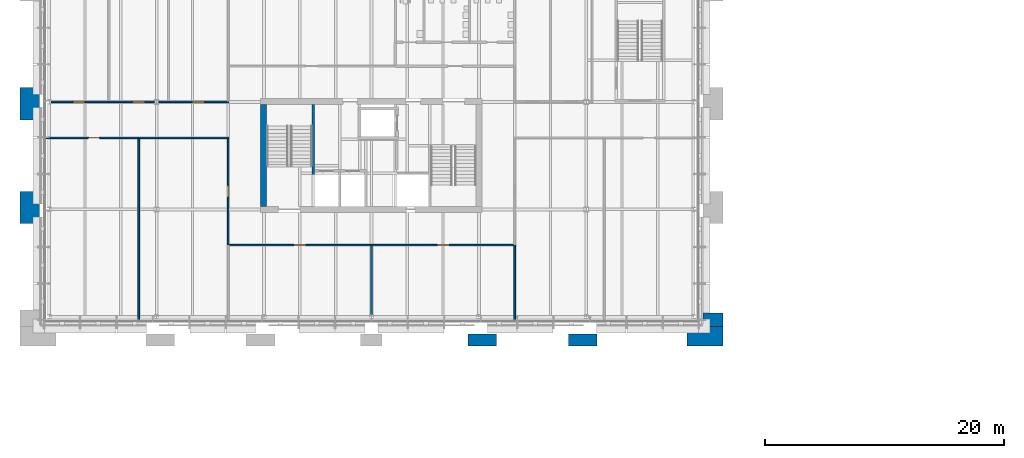
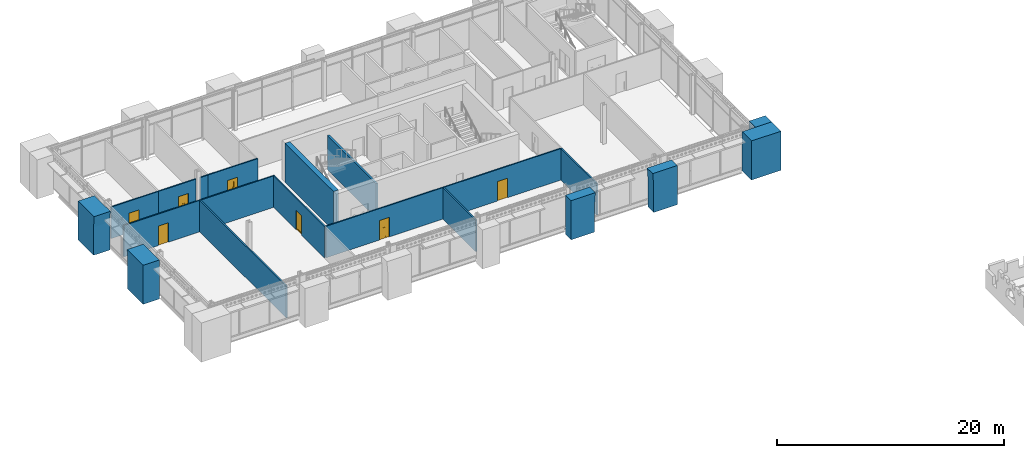
# One storey, part 20 of 37: 20 walls, 7 doors, 7 openings.
"""IFC4 building model written with IfcOpenShell, lengths in metres."""

from ifc_helpers import new_model, si_unit, direction, frame, frame_2d, origin, place, context, subcontext, project, spatial, polyline, rectangle, outline, extrude, material, layer, layer_set, type_object, element, fill, save


model = new_model("IFC4")

# Units and contexts
model_context = context("Model", 3, precision=1e-05, world=origin(), true_north=direction((0.0, 1.0)))
body_context = subcontext(model_context, "Body", "Model", "MODEL_VIEW")
ifc_project = project(units=[si_unit("LENGTHUNIT", "METRE"), si_unit("AREAUNIT", "SQUARE_METRE"), si_unit("VOLUMEUNIT", "CUBIC_METRE"), si_unit("PLANEANGLEUNIT", "RADIAN"), si_unit("MASSUNIT", "GRAM", prefix="KILO")], contexts=[model_context])

# Site, building, storey
site_placement = place(None, origin())
site = spatial("IfcSite", under=ifc_project, at=site_placement, CompositionType="ELEMENT")
building_placement = place(site_placement, origin())
building = spatial("IfcBuilding", under=site, at=building_placement, Name="Baradari Gate Terminus", CompositionType="ELEMENT")
storey_placement = place(building_placement, frame((0.0, 0.0, 24.300048828125)))
storey = spatial("IfcBuildingStorey", under=building, at=storey_placement, Name="L05", CompositionType="ELEMENT", Elevation=24.300048828125)

# Wall, opening, door
ifc_material_1 = material(Name="Gypsum board")
ifc_layer_1 = layer(ifc_material_1, 0.125)
ifc_layer_set_1 = layer_set([ifc_layer_1], Name="Gypsum board")
wall_type_1 = type_object("IfcWallType", Name="Corridor partition PT-5 125 EI 30", PredefinedType="PARTITIONING", material=ifc_layer_set_1)
wall_1_placement = place(storey_placement, frame((36.0, 123.0, 0.0), z_axis=(0.0, 0.0, 1.0), x_axis=(-1.0, 0.0, 0.0)))
wall_1 = element("IfcWall", 1, at=wall_1_placement, inside=storey, type_object=wall_type_1, Name="PT-5 partition Corridor / Accounts Office", PredefinedType="PARTITIONING", context=body_context, shape_type="SweptSolid", body=[
    extrude(rectangle(XDim=11.925048828125, YDim=0.125, at=frame_2d((5.96240234375, 0.0))), origin(), (0.0, 0.0, 1.0), 3.3818359375),
])
opening_1_placement = place(wall_1_placement, frame((5.5, 0.0, 0.0)))
opening_1 = element("IfcOpeningElement", 2, at=opening_1_placement, cuts=wall_1, Name="Opening D05-023", PredefinedType="OPENING", context=body_context, shape_type="SweptSolid", body=[
    extrude(rectangle(XDim=1.0, YDim=2.10009765625, at=frame_2d((0.5, 1.050048828125))), frame((0.0, 0.072509765625, 0.0), z_axis=(0.0, -1.0, 0.0), x_axis=(1.0, 0.0, 0.0)), (0.0, 0.0, 1.0), 0.14501953125),
])
ifc_material_2 = material(Name="Steel S275", Category="steel")
door_type = type_object("IfcDoorType", Name="Fire door FI-1000-FD30S 1000x2100 FD30S", OperationType="SINGLE_SWING_LEFT", PredefinedType="DOOR", material=ifc_material_2)
door_1_placement = place(opening_1_placement, origin())
door_1 = element("IfcDoor", 3, at=door_1_placement, inside=storey, type_object=door_type, Name="Door Accounts Office", OperationType="SINGLE_SWING_LEFT", OverallHeight=2.1, OverallWidth=1.0, PredefinedType="DOOR", context=body_context, shape_type="SweptSolid", body=[
    extrude(outline(polyline([(0.0, 0.0), (0.070068359375, 0.0), (0.070068359375, 2.030029296875), (0.929931640625, 2.030029296875), (0.929931640625, 0.0), (1.0, 0.0), (1.0, 2.10009765625), (0.0, 2.10009765625), (0.0, 0.0)])), frame((0.0, 0.02490234375, 0.0), z_axis=(0.0, -1.0, 0.0), x_axis=(1.0, 0.0, 0.0)), (0.0, 0.0, 1.0), 0.050048828125),
    extrude(outline(polyline([(0.073974609375, 0.010009765625), (0.926025390625, 0.010009765625), (0.926025390625, 2.026123046875), (0.073974609375, 2.026123046875), (0.073974609375, 0.010009765625)]), holes=[polyline([(0.194091796875, 0.159912109375), (0.805908203125, 0.159912109375), (0.805908203125, 1.010009765625), (0.194091796875, 1.010009765625), (0.194091796875, 0.159912109375)]), polyline([(0.35009765625, 1.159912109375), (0.64990234375, 1.159912109375), (0.64990234375, 1.760009765625), (0.35009765625, 1.760009765625), (0.35009765625, 1.159912109375)])]), frame((0.0, 0.017333984375, 0.0), z_axis=(0.0, -1.0, 0.0), x_axis=(1.0, 0.0, 0.0)), (0.0, 0.0, 1.0), 0.034912109375),
    extrude(rectangle(XDim=0.61181640625, YDim=0.85009765625, at=frame_2d((0.5, 0.5849609375))), frame((0.0, 0.008544921875, 0.0), z_axis=(0.0, -1.0, 0.0), x_axis=(1.0, 0.0, 0.0)), (0.0, 0.0, 1.0), 0.017333984375),
    extrude(rectangle(XDim=0.2998046875, YDim=0.60009765625, at=frame_2d((0.5, 1.4599609375))), frame((0.0, 0.005859375, 0.0), z_axis=(0.0, -1.0, 0.0), x_axis=(1.0, 0.0, 0.0)), (0.0, 0.0, 1.0), 0.011962890625),
])
fill(opening_1, door_1)

wall_2_placement = place(storey_placement, frame((16.5, 132.0, 0.0), z_axis=(0.0, 0.0, 1.0), x_axis=(-1.0, 0.0, 0.0)))
wall_2 = element("IfcWall", 4, at=wall_2_placement, inside=storey, type_object=wall_type_1, Name="PT-5 partition Corridor / Planning Office", PredefinedType="PARTITIONING", context=body_context, shape_type="SweptSolid", body=[
    extrude(rectangle(XDim=7.77001953125, YDim=0.125, at=frame_2d((3.885009765625, 0.0))), origin(), (0.0, 0.0, 1.0), 3.3818359375),
])
opening_2_placement = place(wall_2_placement, frame((3.25, 0.0, 0.0)))
opening_2 = element("IfcOpeningElement", 5, at=opening_2_placement, cuts=wall_2, Name="Opening D05-018", PredefinedType="OPENING", context=body_context, shape_type="SweptSolid", body=[
    extrude(rectangle(XDim=1.0, YDim=2.10009765625, at=frame_2d((0.5, 1.050048828125))), frame((0.0, 0.072509765625, 0.0), z_axis=(0.0, -1.0, 0.0), x_axis=(1.0, 0.0, 0.0)), (0.0, 0.0, 1.0), 0.14501953125),
])
door_2_placement = place(opening_2_placement, origin())
door_2 = element("IfcDoor", 6, at=door_2_placement, inside=storey, type_object=door_type, Name="Door Planning Office", OperationType="SINGLE_SWING_LEFT", OverallHeight=2.1, OverallWidth=1.0, PredefinedType="DOOR", context=body_context, shape_type="SweptSolid", body=[
    extrude(outline(polyline([(0.0, 0.0), (0.070068359375, 0.0), (0.070068359375, 2.030029296875), (0.929931640625, 2.030029296875), (0.929931640625, 0.0), (1.0, 0.0), (1.0, 2.10009765625), (0.0, 2.10009765625), (0.0, 0.0)])), frame((0.0, 0.02490234375, 0.0), z_axis=(0.0, -1.0, 0.0), x_axis=(1.0, 0.0, 0.0)), (0.0, 0.0, 1.0), 0.050048828125),
    extrude(outline(polyline([(0.073974609375, 0.010009765625), (0.926025390625, 0.010009765625), (0.926025390625, 2.026123046875), (0.073974609375, 2.026123046875), (0.073974609375, 0.010009765625)]), holes=[polyline([(0.194091796875, 0.159912109375), (0.805908203125, 0.159912109375), (0.805908203125, 1.010009765625), (0.194091796875, 1.010009765625), (0.194091796875, 0.159912109375)]), polyline([(0.35009765625, 1.159912109375), (0.64990234375, 1.159912109375), (0.64990234375, 1.760009765625), (0.35009765625, 1.760009765625), (0.35009765625, 1.159912109375)])]), frame((0.0, 0.017333984375, 0.0), z_axis=(0.0, -1.0, 0.0), x_axis=(1.0, 0.0, 0.0)), (0.0, 0.0, 1.0), 0.034912109375),
    extrude(rectangle(XDim=0.61181640625, YDim=0.85009765625, at=frame_2d((0.5, 0.5849609375))), frame((0.0, 0.008544921875, 0.0), z_axis=(0.0, -1.0, 0.0), x_axis=(1.0, 0.0, 0.0)), (0.0, 0.0, 1.0), 0.017333984375),
    extrude(rectangle(XDim=0.2998046875, YDim=0.60009765625, at=frame_2d((0.5, 1.4599609375))), frame((0.0, 0.005859375, 0.0), z_axis=(0.0, -1.0, 0.0), x_axis=(1.0, 0.0, 0.0)), (0.0, 0.0, 1.0), 0.011962890625),
])
fill(opening_2, door_2)

wall_3_placement = place(storey_placement, frame((24.0, 123.0, 0.0), z_axis=(0.0, 0.0, 1.0), x_axis=(0.0, 1.0, 0.0)))
wall_3 = element("IfcWall", 7, at=wall_3_placement, inside=storey, type_object=wall_type_1, Name="PT-5 partition Corridor / Records Room", PredefinedType="PARTITIONING", context=body_context, shape_type="SweptSolid", body=[
    extrude(rectangle(XDim=8.9375, YDim=0.125, at=frame_2d((4.46875, 0.0))), origin(), (0.0, 0.0, 1.0), 3.3818359375),
])
opening_3_placement = place(wall_3_placement, frame((4.0, 0.0, 0.0)))
opening_3 = element("IfcOpeningElement", 8, at=opening_3_placement, cuts=wall_3, Name="Opening D05-019", PredefinedType="OPENING", context=body_context, shape_type="SweptSolid", body=[
    extrude(rectangle(XDim=1.0, YDim=2.10009765625, at=frame_2d((0.5, 1.050048828125))), frame((0.0, 0.072509765625, 0.0), z_axis=(0.0, -1.0, 0.0), x_axis=(1.0, 0.0, 0.0)), (0.0, 0.0, 1.0), 0.14501953125),
])
door_3_placement = place(opening_3_placement, origin())
door_3 = element("IfcDoor", 9, at=door_3_placement, inside=storey, type_object=door_type, Name="Door Records Room", OperationType="SINGLE_SWING_RIGHT", OverallHeight=2.1, OverallWidth=1.0, PredefinedType="DOOR", context=body_context, shape_type="SweptSolid", body=[
    extrude(outline(polyline([(0.0, 0.0), (0.070068359375, 0.0), (0.070068359375, 2.030029296875), (0.929931640625, 2.030029296875), (0.929931640625, 0.0), (1.0, 0.0), (1.0, 2.10009765625), (0.0, 2.10009765625), (0.0, 0.0)])), frame((0.0, 0.02490234375, 0.0), z_axis=(0.0, -1.0, 0.0), x_axis=(1.0, 0.0, 0.0)), (0.0, 0.0, 1.0), 0.050048828125),
    extrude(outline(polyline([(0.073974609375, 0.010009765625), (0.926025390625, 0.010009765625), (0.926025390625, 2.026123046875), (0.073974609375, 2.026123046875), (0.073974609375, 0.010009765625)]), holes=[polyline([(0.194091796875, 0.159912109375), (0.805908203125, 0.159912109375), (0.805908203125, 1.010009765625), (0.194091796875, 1.010009765625), (0.194091796875, 0.159912109375)]), polyline([(0.35009765625, 1.159912109375), (0.64990234375, 1.159912109375), (0.64990234375, 1.760009765625), (0.35009765625, 1.760009765625), (0.35009765625, 1.159912109375)])]), frame((0.0, 0.017333984375, 0.0), z_axis=(0.0, -1.0, 0.0), x_axis=(1.0, 0.0, 0.0)), (0.0, 0.0, 1.0), 0.034912109375),
    extrude(rectangle(XDim=0.61181640625, YDim=0.85009765625, at=frame_2d((0.5, 0.5849609375))), frame((0.0, 0.008544921875, 0.0), z_axis=(0.0, -1.0, 0.0), x_axis=(1.0, 0.0, 0.0)), (0.0, 0.0, 1.0), 0.017333984375),
    extrude(rectangle(XDim=0.2998046875, YDim=0.60009765625, at=frame_2d((0.5, 1.4599609375))), frame((0.0, 0.005859375, 0.0), z_axis=(0.0, -1.0, 0.0), x_axis=(1.0, 0.0, 0.0)), (0.0, 0.0, 1.0), 0.011962890625),
])
fill(opening_3, door_3)

# Wall
wall_4_placement = place(storey_placement, frame((24.0625, 132.0, 0.0), z_axis=(0.0, 0.0, 1.0), x_axis=(-1.0, 0.0, 0.0)))
element("IfcWall", 10, at=wall_4_placement, inside=storey, type_object=wall_type_1, Name="PT-5 partition Corridor / Records Room", PredefinedType="PARTITIONING", context=body_context, shape_type="SweptSolid", body=[
    extrude(rectangle(XDim=7.5625, YDim=0.125, at=frame_2d((3.78125, 0.0))), origin(), (0.0, 0.0, 1.0), 3.3818359375),
])

# Wall, opening, door
wall_5_placement = place(storey_placement, frame((9.1572265625, 135.0, 0.0), z_axis=(0.0, 0.0, 1.0), x_axis=(1.0, 0.0, 0.0)))
wall_5 = element("IfcWall", 11, at=wall_5_placement, inside=storey, type_object=wall_type_1, Name="PT-5 partition Corridor / Station Master's Office", PredefinedType="PARTITIONING", context=body_context, shape_type="SweptSolid", body=[
    extrude(rectangle(XDim=4.8427734375, YDim=0.125, at=frame_2d((2.42138671875, 0.0))), origin(), (0.0, 0.0, 1.0), 3.3818359375),
])
opening_4_placement = place(wall_5_placement, frame((1.8427734375, 0.0, 0.0)))
opening_4 = element("IfcOpeningElement", 12, at=opening_4_placement, cuts=wall_5, Name="Opening D05-015", PredefinedType="OPENING", context=body_context, shape_type="SweptSolid", body=[
    extrude(rectangle(XDim=1.0, YDim=2.10009765625, at=frame_2d((0.5, 1.050048828125))), frame((0.0, 0.072509765625, 0.0), z_axis=(0.0, -1.0, 0.0), x_axis=(1.0, 0.0, 0.0)), (0.0, 0.0, 1.0), 0.14501953125),
])
door_4_placement = place(opening_4_placement, origin())
door_4 = element("IfcDoor", 13, at=door_4_placement, inside=storey, type_object=door_type, Name="Door Station Master's Office", OperationType="SINGLE_SWING_RIGHT", OverallHeight=2.1, OverallWidth=1.0, PredefinedType="DOOR", context=body_context, shape_type="SweptSolid", body=[
    extrude(outline(polyline([(0.0, 0.0), (0.070068359375, 0.0), (0.070068359375, 2.030029296875), (0.929931640625, 2.030029296875), (0.929931640625, 0.0), (1.0, 0.0), (1.0, 2.10009765625), (0.0, 2.10009765625), (0.0, 0.0)])), frame((0.0, 0.02490234375, 0.0), z_axis=(0.0, -1.0, 0.0), x_axis=(1.0, 0.0, 0.0)), (0.0, 0.0, 1.0), 0.050048828125),
    extrude(outline(polyline([(0.073974609375, 0.010009765625), (0.926025390625, 0.010009765625), (0.926025390625, 2.026123046875), (0.073974609375, 2.026123046875), (0.073974609375, 0.010009765625)]), holes=[polyline([(0.194091796875, 0.159912109375), (0.805908203125, 0.159912109375), (0.805908203125, 1.010009765625), (0.194091796875, 1.010009765625), (0.194091796875, 0.159912109375)]), polyline([(0.35009765625, 1.159912109375), (0.64990234375, 1.159912109375), (0.64990234375, 1.760009765625), (0.35009765625, 1.760009765625), (0.35009765625, 1.159912109375)])]), frame((0.0, 0.017333984375, 0.0), z_axis=(0.0, -1.0, 0.0), x_axis=(1.0, 0.0, 0.0)), (0.0, 0.0, 1.0), 0.034912109375),
    extrude(rectangle(XDim=0.61181640625, YDim=0.85009765625, at=frame_2d((0.5, 0.5849609375))), frame((0.0, 0.008544921875, 0.0), z_axis=(0.0, -1.0, 0.0), x_axis=(1.0, 0.0, 0.0)), (0.0, 0.0, 1.0), 0.017333984375),
    extrude(rectangle(XDim=0.2998046875, YDim=0.60009765625, at=frame_2d((0.5, 1.4599609375))), frame((0.0, 0.005859375, 0.0), z_axis=(0.0, -1.0, 0.0), x_axis=(1.0, 0.0, 0.0)), (0.0, 0.0, 1.0), 0.011962890625),
])
fill(opening_4, door_4)

wall_6_placement = place(storey_placement, frame((14.0, 135.0, 0.0), z_axis=(0.0, 0.0, 1.0), x_axis=(1.0, 0.0, 0.0)))
wall_6 = element("IfcWall", 14, at=wall_6_placement, inside=storey, type_object=wall_type_1, Name="PT-5 partition Corridor / Revenue Office", PredefinedType="PARTITIONING", context=body_context, shape_type="SweptSolid", body=[
    extrude(rectangle(XDim=3.802490234375, YDim=0.125, at=frame_2d((1.9013671875, 0.0))), origin(), (0.0, 0.0, 1.0), 3.3818359375),
])
opening_5_placement = place(wall_6_placement, frame((2.0, 0.0, 0.0)))
opening_5 = element("IfcOpeningElement", 15, at=opening_5_placement, cuts=wall_6, Name="Opening D05-016", PredefinedType="OPENING", context=body_context, shape_type="SweptSolid", body=[
    extrude(rectangle(XDim=1.0, YDim=2.10009765625, at=frame_2d((0.5, 1.050048828125))), frame((0.0, 0.072509765625, 0.0), z_axis=(0.0, -1.0, 0.0), x_axis=(1.0, 0.0, 0.0)), (0.0, 0.0, 1.0), 0.14501953125),
])
door_5_placement = place(opening_5_placement, origin())
door_5 = element("IfcDoor", 16, at=door_5_placement, inside=storey, type_object=door_type, Name="Door Revenue Office", OperationType="SINGLE_SWING_LEFT", OverallHeight=2.1, OverallWidth=1.0, PredefinedType="DOOR", context=body_context, shape_type="SweptSolid", body=[
    extrude(outline(polyline([(0.0, 0.0), (0.070068359375, 0.0), (0.070068359375, 2.030029296875), (0.929931640625, 2.030029296875), (0.929931640625, 0.0), (1.0, 0.0), (1.0, 2.10009765625), (0.0, 2.10009765625), (0.0, 0.0)])), frame((0.0, 0.02490234375, 0.0), z_axis=(0.0, -1.0, 0.0), x_axis=(1.0, 0.0, 0.0)), (0.0, 0.0, 1.0), 0.050048828125),
    extrude(outline(polyline([(0.073974609375, 0.010009765625), (0.926025390625, 0.010009765625), (0.926025390625, 2.026123046875), (0.073974609375, 2.026123046875), (0.073974609375, 0.010009765625)]), holes=[polyline([(0.194091796875, 0.159912109375), (0.805908203125, 0.159912109375), (0.805908203125, 1.010009765625), (0.194091796875, 1.010009765625), (0.194091796875, 0.159912109375)]), polyline([(0.35009765625, 1.159912109375), (0.64990234375, 1.159912109375), (0.64990234375, 1.760009765625), (0.35009765625, 1.760009765625), (0.35009765625, 1.159912109375)])]), frame((0.0, 0.017333984375, 0.0), z_axis=(0.0, -1.0, 0.0), x_axis=(1.0, 0.0, 0.0)), (0.0, 0.0, 1.0), 0.034912109375),
    extrude(rectangle(XDim=0.61181640625, YDim=0.85009765625, at=frame_2d((0.5, 0.5849609375))), frame((0.0, 0.008544921875, 0.0), z_axis=(0.0, -1.0, 0.0), x_axis=(1.0, 0.0, 0.0)), (0.0, 0.0, 1.0), 0.017333984375),
    extrude(rectangle(XDim=0.2998046875, YDim=0.60009765625, at=frame_2d((0.5, 1.4599609375))), frame((0.0, 0.005859375, 0.0), z_axis=(0.0, -1.0, 0.0), x_axis=(1.0, 0.0, 0.0)), (0.0, 0.0, 1.0), 0.011962890625),
])
fill(opening_5, door_5)

# Wall
wall_7_placement = place(storey_placement, frame((18.197509765625, 135.0, 0.0), z_axis=(0.0, 0.0, 1.0), x_axis=(1.0, 0.0, 0.0)))
element("IfcWall", 17, at=wall_7_placement, inside=storey, type_object=wall_type_1, Name="PT-5 partition Corridor / Revenue Office", PredefinedType="PARTITIONING", context=body_context, shape_type="SweptSolid", body=[
    extrude(rectangle(XDim=0.802490234375, YDim=0.125, at=frame_2d((0.4013671875, 0.0))), origin(), (0.0, 0.0, 1.0), 3.3818359375),
])

# Wall, opening, door
wall_8_placement = place(storey_placement, frame((19.0, 135.0, 0.0), z_axis=(0.0, 0.0, 1.0), x_axis=(1.0, 0.0, 0.0)))
wall_8 = element("IfcWall", 18, at=wall_8_placement, inside=storey, type_object=wall_type_1, Name="PT-5 partition Corridor / Freight and Parcels Office", PredefinedType="PARTITIONING", context=body_context, shape_type="SweptSolid", body=[
    extrude(rectangle(XDim=5.0625, YDim=0.125, at=frame_2d((2.53125, 0.0))), origin(), (0.0, 0.0, 1.0), 3.3818359375),
])
opening_6_placement = place(wall_8_placement, frame((2.0, 0.0, 0.0)))
opening_6 = element("IfcOpeningElement", 19, at=opening_6_placement, cuts=wall_8, Name="Opening D05-017", PredefinedType="OPENING", context=body_context, shape_type="SweptSolid", body=[
    extrude(rectangle(XDim=1.0, YDim=2.10009765625, at=frame_2d((0.5, 1.050048828125))), frame((0.0, 0.072509765625, 0.0), z_axis=(0.0, -1.0, 0.0), x_axis=(1.0, 0.0, 0.0)), (0.0, 0.0, 1.0), 0.14501953125),
])
door_6_placement = place(opening_6_placement, origin())
door_6 = element("IfcDoor", 20, at=door_6_placement, inside=storey, type_object=door_type, Name="Door Freight and Parcels Office", OperationType="SINGLE_SWING_LEFT", OverallHeight=2.1, OverallWidth=1.0, PredefinedType="DOOR", context=body_context, shape_type="SweptSolid", body=[
    extrude(outline(polyline([(0.0, 0.0), (0.070068359375, 0.0), (0.070068359375, 2.030029296875), (0.929931640625, 2.030029296875), (0.929931640625, 0.0), (1.0, 0.0), (1.0, 2.10009765625), (0.0, 2.10009765625), (0.0, 0.0)])), frame((0.0, 0.02490234375, 0.0), z_axis=(0.0, -1.0, 0.0), x_axis=(1.0, 0.0, 0.0)), (0.0, 0.0, 1.0), 0.050048828125),
    extrude(outline(polyline([(0.073974609375, 0.010009765625), (0.926025390625, 0.010009765625), (0.926025390625, 2.026123046875), (0.073974609375, 2.026123046875), (0.073974609375, 0.010009765625)]), holes=[polyline([(0.194091796875, 0.159912109375), (0.805908203125, 0.159912109375), (0.805908203125, 1.010009765625), (0.194091796875, 1.010009765625), (0.194091796875, 0.159912109375)]), polyline([(0.35009765625, 1.159912109375), (0.64990234375, 1.159912109375), (0.64990234375, 1.760009765625), (0.35009765625, 1.760009765625), (0.35009765625, 1.159912109375)])]), frame((0.0, 0.017333984375, 0.0), z_axis=(0.0, -1.0, 0.0), x_axis=(1.0, 0.0, 0.0)), (0.0, 0.0, 1.0), 0.034912109375),
    extrude(rectangle(XDim=0.61181640625, YDim=0.85009765625, at=frame_2d((0.5, 0.5849609375))), frame((0.0, 0.008544921875, 0.0), z_axis=(0.0, -1.0, 0.0), x_axis=(1.0, 0.0, 0.0)), (0.0, 0.0, 1.0), 0.017333984375),
    extrude(rectangle(XDim=0.2998046875, YDim=0.60009765625, at=frame_2d((0.5, 1.4599609375))), frame((0.0, 0.005859375, 0.0), z_axis=(0.0, -1.0, 0.0), x_axis=(1.0, 0.0, 0.0)), (0.0, 0.0, 1.0), 0.011962890625),
])
fill(opening_6, door_6)

wall_9_placement = place(storey_placement, frame((47.925048828125, 123.0, 0.0), z_axis=(0.0, 0.0, 1.0), x_axis=(-1.0, 0.0, 0.0)))
wall_9 = element("IfcWall", 21, at=wall_9_placement, inside=storey, type_object=wall_type_1, Name="PT-5 partition Corridor / Personnel Office", PredefinedType="PARTITIONING", context=body_context, shape_type="SweptSolid", body=[
    extrude(rectangle(XDim=11.925048828125, YDim=0.125, at=frame_2d((5.96240234375, 0.0))), origin(), (0.0, 0.0, 1.0), 3.3818359375),
])
opening_7_placement = place(wall_9_placement, frame((5.425048828125, 0.0, 0.0)))
opening_7 = element("IfcOpeningElement", 22, at=opening_7_placement, cuts=wall_9, Name="Opening D05-024", PredefinedType="OPENING", context=body_context, shape_type="SweptSolid", body=[
    extrude(rectangle(XDim=1.0, YDim=2.10009765625, at=frame_2d((0.5, 1.050048828125))), frame((0.0, 0.072509765625, 0.0), z_axis=(0.0, -1.0, 0.0), x_axis=(1.0, 0.0, 0.0)), (0.0, 0.0, 1.0), 0.14501953125),
])
door_7_placement = place(opening_7_placement, origin())
door_7 = element("IfcDoor", 23, at=door_7_placement, inside=storey, type_object=door_type, Name="Door Personnel Office", OperationType="SINGLE_SWING_LEFT", OverallHeight=2.1, OverallWidth=1.0, PredefinedType="DOOR", context=body_context, shape_type="SweptSolid", body=[
    extrude(outline(polyline([(0.0, 0.0), (0.070068359375, 0.0), (0.070068359375, 2.030029296875), (0.929931640625, 2.030029296875), (0.929931640625, 0.0), (1.0, 0.0), (1.0, 2.10009765625), (0.0, 2.10009765625), (0.0, 0.0)])), frame((0.0, 0.02490234375, 0.0), z_axis=(0.0, -1.0, 0.0), x_axis=(1.0, 0.0, 0.0)), (0.0, 0.0, 1.0), 0.050048828125),
    extrude(outline(polyline([(0.073974609375, 0.010009765625), (0.926025390625, 0.010009765625), (0.926025390625, 2.026123046875), (0.073974609375, 2.026123046875), (0.073974609375, 0.010009765625)]), holes=[polyline([(0.194091796875, 0.159912109375), (0.805908203125, 0.159912109375), (0.805908203125, 1.010009765625), (0.194091796875, 1.010009765625), (0.194091796875, 0.159912109375)]), polyline([(0.35009765625, 1.159912109375), (0.64990234375, 1.159912109375), (0.64990234375, 1.760009765625), (0.35009765625, 1.760009765625), (0.35009765625, 1.159912109375)])]), frame((0.0, 0.017333984375, 0.0), z_axis=(0.0, -1.0, 0.0), x_axis=(1.0, 0.0, 0.0)), (0.0, 0.0, 1.0), 0.034912109375),
    extrude(rectangle(XDim=0.61181640625, YDim=0.85009765625, at=frame_2d((0.5, 0.5849609375))), frame((0.0, 0.008544921875, 0.0), z_axis=(0.0, -1.0, 0.0), x_axis=(1.0, 0.0, 0.0)), (0.0, 0.0, 1.0), 0.017333984375),
    extrude(rectangle(XDim=0.2998046875, YDim=0.60009765625, at=frame_2d((0.5, 1.4599609375))), frame((0.0, 0.005859375, 0.0), z_axis=(0.0, -1.0, 0.0), x_axis=(1.0, 0.0, 0.0)), (0.0, 0.0, 1.0), 0.011962890625),
])
fill(opening_7, door_7)

# Walls
ifc_material_3 = material(Name="Concrete C40/50", Category="concrete")
ifc_layer_2 = layer(ifc_material_3, 0.5)
ifc_layer_set_2 = layer_set([ifc_layer_2], Name="Concrete C40/50")
wall_type_2 = type_object("IfcWallType", Name="Operations block core wall CWL02 500", PredefinedType="SOLIDWALL", material=ifc_layer_set_2)
wall_10_placement = place(storey_placement, frame((26.97509765625, 126.22509765625, 0.0), z_axis=(0.0, 0.0, 1.0), x_axis=(0.0, 1.0, 0.0)))
element("IfcWall", 24, at=wall_10_placement, inside=storey, type_object=wall_type_2, Name="Operations block core wall CT W L05", PredefinedType="SOLIDWALL", context=body_context, shape_type="SweptSolid", body=[
    extrude(rectangle(XDim=8.5498046875, YDim=0.5, at=frame_2d((4.27490234375, 0.0))), origin(), (0.0, 0.0, 1.0), 4.199951171875),
])
ifc_material_4 = material(Name="Blockwork wall, plastered", Category="masonry")
ifc_layer_3 = layer(ifc_material_4, 0.14990234375)
ifc_layer_set_3 = layer_set([ifc_layer_3], Name="Blockwork wall, plastered")
wall_type_3 = type_object("IfcWallType", Name="Partition PT-2 150 EI 60", PredefinedType="PARTITIONING", material=ifc_layer_set_3)
wall_11_placement = place(storey_placement, frame((16.5, 131.9375, 0.0), z_axis=(0.0, 0.0, 1.0), x_axis=(0.0, -1.0, 0.0)))
element("IfcWall", 25, at=wall_11_placement, inside=storey, type_object=wall_type_3, Name="PT-2 partition Planning Office / Records Room", PredefinedType="PARTITIONING", context=body_context, shape_type="SweptSolid", body=[
    extrude(rectangle(XDim=15.232421875, YDim=0.14990234375, at=frame_2d((7.6162109375, 0.0))), origin(), (0.0, 0.0, 1.0), 3.3818359375),
])
wall_12_placement = place(storey_placement, frame((48.0, 116.705078125, 0.0), z_axis=(0.0, 0.0, 1.0), x_axis=(0.0, 1.0, 0.0)))
element("IfcWall", 26, at=wall_12_placement, inside=storey, type_object=wall_type_3, Name="PT-2 partition Meeting Room 1 / Personnel Office", PredefinedType="PARTITIONING", context=body_context, shape_type="SweptSolid", body=[
    extrude(rectangle(XDim=6.294921875, YDim=0.14990234375, at=frame_2d((3.1474609375, 0.0))), origin(), (0.0, 0.0, 1.0), 3.3818359375),
])
wall_13_placement = place(storey_placement, frame((36.0, 122.9375, 0.0), z_axis=(0.0, 0.0, 1.0), x_axis=(0.0, -1.0, 0.0)))
element("IfcWall", 27, at=wall_13_placement, inside=storey, type_object=wall_type_3, Name="PT-2 partition Accounts Office / Personnel Office", PredefinedType="PARTITIONING", context=body_context, shape_type="SweptSolid", body=[
    extrude(rectangle(XDim=5.767578125, YDim=0.14990234375, at=frame_2d((2.8837890625, 0.0))), origin(), (0.0, 0.0, 1.0), 3.3818359375),
])
ifc_material_5 = material(Name="Concrete C40/50 precast", Category="concrete")
ifc_layer_4 = layer(ifc_material_5, 1.55)
ifc_material_6 = material(Name="Sandstone cladding", Category="masonry")
ifc_layer_5 = layer(ifc_material_6, 0.1)
ifc_layer_set_4 = layer_set([ifc_layer_4, ifc_layer_5], Name="Concrete C40/50 precast")
wall_type_4 = type_object("IfcWallType", Name="Sandstone-faced precast frame pier WQ-4 1650", PredefinedType="SOLIDWALL", material=ifc_layer_set_4)
wall_14_placement = place(storey_placement, frame((7.3798828125, 124.800048828125, 0.0), z_axis=(0.0, 0.0, 1.0), x_axis=(0.0, 1.0, 0.0)))
element("IfcWall", 28, at=wall_14_placement, inside=storey, type_object=wall_type_4, Name="Frame portal wall W face bay 1 1", PredefinedType="SOLIDWALL", context=body_context, shape_type="SweptSolid", body=[
    extrude(outline(polyline([(2.699951171875, 0.0), (2.699951171875, 3.0), (2.795166015625, 4.199951171875), (0.0, 4.199951171875), (0.0, 0.0), (2.699951171875, 0.0)])), frame((0.0, 0.824951171875, 0.0), z_axis=(0.0, -1.0, 0.0), x_axis=(1.0, 0.0, 0.0)), (0.0, 0.0, 1.0), 1.64990234375),
])
wall_15_placement = place(storey_placement, frame((7.3798828125, 133.40478515625, 0.0), z_axis=(0.0, 0.0, 1.0), x_axis=(0.0, 1.0, 0.0)))
element("IfcWall", 29, at=wall_15_placement, inside=storey, type_object=wall_type_4, Name="Frame portal wall W face bay 1 2", PredefinedType="SOLIDWALL", context=body_context, shape_type="SweptSolid", body=[
    extrude(outline(polyline([(0.0, 4.199951171875), (0.09521484375, 3.0), (0.09521484375, 0.0), (2.795166015625, 0.0), (2.795166015625, 4.199951171875), (0.0, 4.199951171875)])), frame((0.0, 0.824951171875, 0.0), z_axis=(0.0, -1.0, 0.0), x_axis=(1.0, 0.0, 0.0)), (0.0, 0.0, 1.0), 1.64990234375),
])
wall_16_placement = place(storey_placement, frame((62.445068359375, 115.3798828125, 0.0), z_axis=(0.0, 0.0, 1.0), x_axis=(1.0, 0.0, 0.0)))
element("IfcWall", 30, at=wall_16_placement, inside=storey, type_object=wall_type_4, Name="Corner pilaster SE leg A L05", PredefinedType="SOLIDWALL", context=body_context, shape_type="SweptSolid", body=[
    extrude(rectangle(XDim=3.0, YDim=1.64990234375, at=frame_2d((1.5, 0.0))), origin(), (0.0, 0.0, 1.0), 4.199951171875),
])
wall_17_placement = place(storey_placement, frame((64.6201171875, 116.205078125, 0.0), z_axis=(0.0, 0.0, 1.0), x_axis=(0.0, 1.0, 0.0)))
element("IfcWall", 31, at=wall_17_placement, inside=storey, type_object=wall_type_4, Name="Corner pilaster SE leg B L05", PredefinedType="SOLIDWALL", context=body_context, shape_type="SweptSolid", body=[
    extrude(rectangle(XDim=1.099853515625, YDim=1.64990234375, at=frame_2d((0.5498046875, 0.0))), origin(), (0.0, 0.0, 1.0), 4.199951171875),
])
ifc_layer_6 = layer(ifc_material_5, 0.9)
ifc_layer_7 = layer(ifc_material_6, 0.1)
ifc_layer_set_5 = layer_set([ifc_layer_6, ifc_layer_7], Name="Concrete C40/50 precast")
wall_type_5 = type_object("IfcWallType", Name="Sandstone-faced precast grid pier WQ-6 1000", PredefinedType="SOLIDWALL", material=ifc_layer_set_5)
wall_18_placement = place(storey_placement, frame((44.10009765625, 115.054931640625, 0.0), z_axis=(0.0, 0.0, 1.0), x_axis=(1.0, 0.0, 0.0)))
element("IfcWall", 32, at=wall_18_placement, inside=storey, type_object=wall_type_5, Name="Frame portal wall S face bay 2 1", PredefinedType="SOLIDWALL", context=body_context, shape_type="SweptSolid", body=[
    extrude(outline(polyline([(2.39990234375, 0.0), (2.39990234375, 3.0), (2.4951171875, 4.199951171875), (0.0, 4.199951171875), (0.0, 0.0), (2.39990234375, 0.0)])), frame((0.0, 0.5, 0.0), z_axis=(0.0, -1.0, 0.0), x_axis=(1.0, 0.0, 0.0)), (0.0, 0.0, 1.0), 1.0),
])
wall_19_placement = place(storey_placement, frame((52.40478515625, 115.054931640625, 0.0), z_axis=(0.0, 0.0, 1.0), x_axis=(1.0, 0.0, 0.0)))
element("IfcWall", 33, at=wall_19_placement, inside=storey, type_object=wall_type_5, Name="Frame portal wall S face bay 2 2", PredefinedType="SOLIDWALL", context=body_context, shape_type="SweptSolid", body=[
    extrude(outline(polyline([(0.0, 4.199951171875), (0.09521484375, 3.0), (0.09521484375, 0.0), (2.4951171875, 0.0), (2.4951171875, 4.199951171875), (0.0, 4.199951171875)])), frame((0.0, 0.5, 0.0), z_axis=(0.0, -1.0, 0.0), x_axis=(1.0, 0.0, 0.0)), (0.0, 0.0, 1.0), 1.0),
])
ifc_material_7 = material(Name="Concrete C40/50", Category="concrete")
ifc_layer_8 = layer(ifc_material_7, 0.199951171875)
ifc_layer_set_6 = layer_set([ifc_layer_8], Name="Concrete C40/50")
wall_type_6 = type_object("IfcWallType", Name="Stair enclosure wall SE-1 200 EI 120", PredefinedType="SOLIDWALL", material=ifc_layer_set_6)
wall_20_placement = place(storey_placement, frame((31.125, 126.22705078125, -0.130126953125), z_axis=(0.0, 0.0, 1.0), x_axis=(0.0, 1.0, 0.0)))
element("IfcWall", 34, at=wall_20_placement, inside=storey, type_object=wall_type_6, Name="Stair enclosure wall SE-1 ST-T1 L05 E", PredefinedType="SOLIDWALL", context=body_context, shape_type="SweptSolid", body=[
    extrude(rectangle(XDim=8.5458984375, YDim=0.199951171875, at=frame_2d((4.27294921875, 0.0))), origin(), (0.0, 0.0, 1.0), 3.666015625),
])

save(model, "model.ifc")
